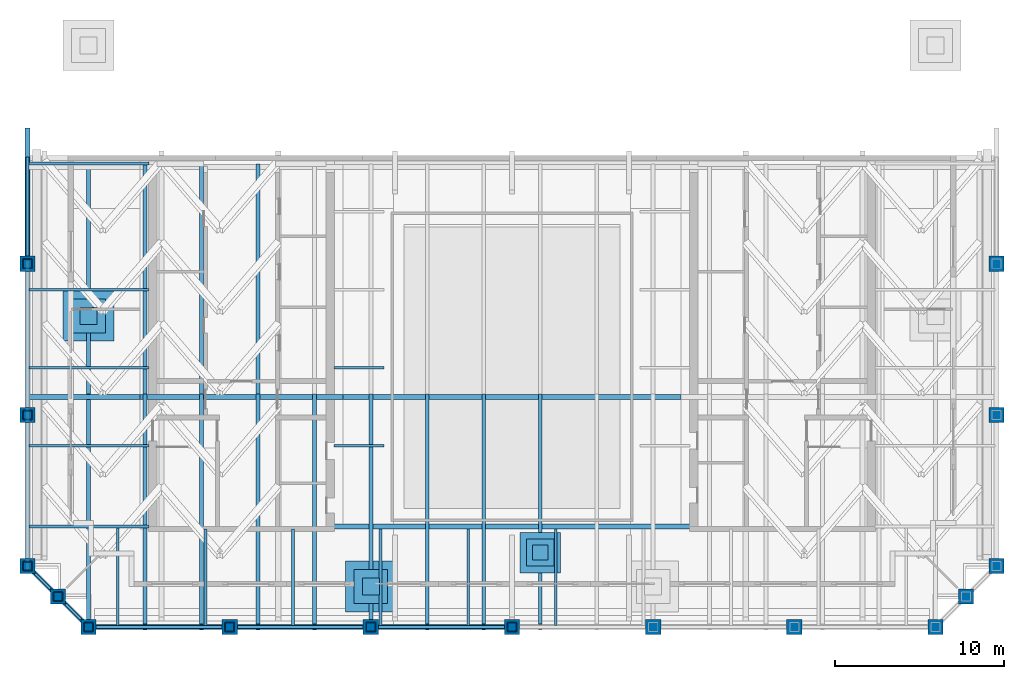
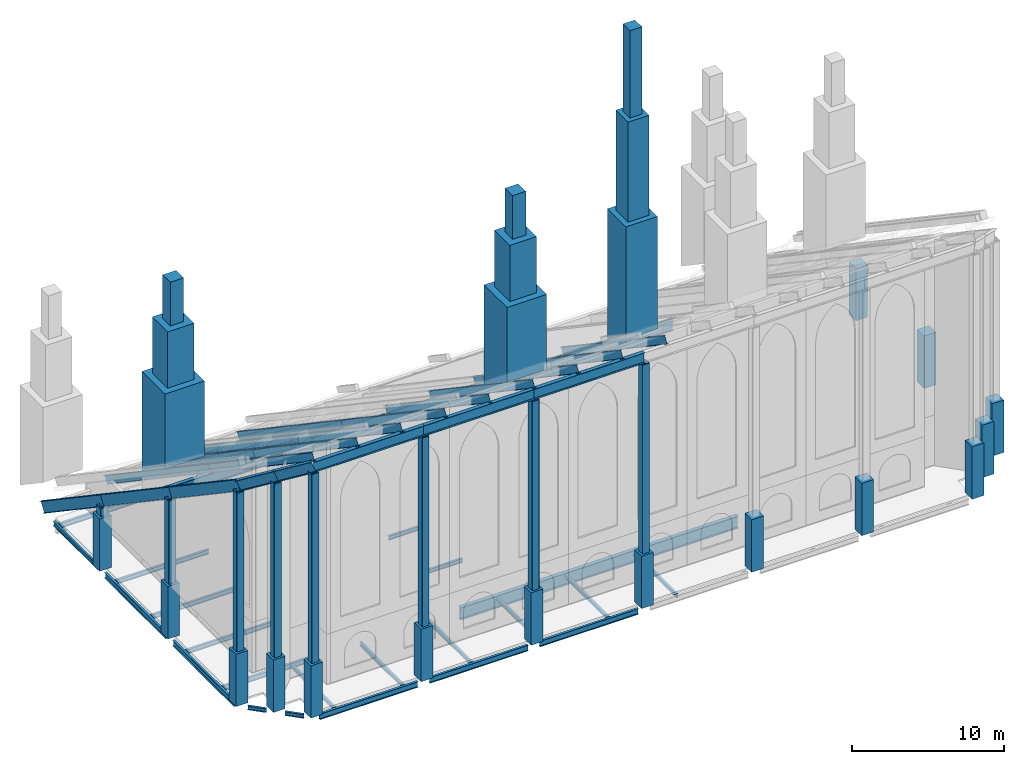
# One storey, part 1 of 9: 33 beams, 30 members, 15 columns.
"""IFC4 building model written with IfcOpenShell, lengths in metres."""

from ifc_helpers import new_model, si_unit, direction, frame, origin, origin_2d, place, context, subcontext, project, spatial, polyline, rectangle, hollow_rectangle, i_section, outline, extrude, material, material_profile, profile_set, type_object, element, save


model = new_model("IFC4")

# Units and contexts
model_context = context("Model", 3, precision=1e-05, world=origin(), true_north=direction((0.0, 1.0)))
body_context = subcontext(model_context, "Body", "Model", "MODEL_VIEW")
ifc_project = project(units=[si_unit("LENGTHUNIT", "METRE"), si_unit("AREAUNIT", "SQUARE_METRE"), si_unit("VOLUMEUNIT", "CUBIC_METRE"), si_unit("PLANEANGLEUNIT", "RADIAN"), si_unit("MASSUNIT", "GRAM", prefix="KILO")], contexts=[model_context])

# Site, building, storey
site_placement = place(None, origin())
site = spatial("IfcSite", under=ifc_project, at=site_placement, CompositionType="ELEMENT")
building_placement = place(site_placement, origin())
building = spatial("IfcBuilding", under=site, at=building_placement, Name="Ogive Exchange Tower", CompositionType="ELEMENT")
storey_placement = place(building_placement, frame((0.0, 0.0, 394.199951171875)))
storey = spatial("IfcBuildingStorey", under=building, at=storey_placement, Name="C07", CompositionType="ELEMENT", Elevation=394.199951171875)

# Columns
ifc_material_1 = material(Name="Precast concrete C70/85 (limestone faced)", Category="masonry")
ifc_material_profile_1 = material_profile(ifc_material_1, rectangle(XDim=0.89990234375, YDim=0.89990234375, at=origin_2d()), Name="900 x 900")
ifc_profile_set_1 = profile_set([ifc_material_profile_1], Name="Precast concrete C70/85 (limestone faced)")
column_type = type_object("IfcColumnType", Name="Precast exoskeleton leg 900 x 900 C70/85", PredefinedType="COLUMN", material=ifc_profile_set_1)
for number, where, z_axis, x_axis, name in (
    (1, (-25.050048828125, -8.39990234375, 0.0), (0.0, 0.0, 1.0), (1.0, 0.0, 0.0), "Crown leg 1"),
    (2, (-16.699951171875, -8.39990234375, 0.0), (0.0, 0.0, 1.0), (1.0, 0.0, 0.0), "Crown leg 2"),
    (3, (-8.35009765625, -8.39990234375, 0.0), (0.0, 0.0, 1.0), (1.0, 0.0, 0.0), "Crown leg 3"),
    (4, (0.0, -8.39990234375, 0.0), (0.0, 0.0, 1.0), (1.0, 0.0, 0.0), "Crown leg 4"),
    (5, (8.35009765625, -8.39990234375, 0.0), (0.0, 0.0, 1.0), (1.0, 0.0, 0.0), "Crown leg 5"),
    (6, (16.699951171875, -8.39990234375, 0.0), (0.0, 0.0, 1.0), (1.0, 0.0, 0.0), "Crown leg 6"),
    (7, (25.050048828125, -8.39990234375, 0.0), (0.0, 0.0, 1.0), (1.0, 0.0, 0.0), "Crown leg 7"),
    (8, (28.64990234375, -4.800048828125, 0.0), (0.0, 0.0, 1.0), (1.0, 0.0, 0.0), "Crown leg 8"),
    (9, (28.64990234375, 4.142822265625, 0.0), (0.0, 0.0, 1.0), (1.0, 0.0, 0.0), "Crown leg 9"),
    (10, (28.64990234375, 13.085693359375, 0.0), (0.0, 0.0, 1.0), (1.0, 0.0, 0.0), "Crown leg 10"),
    (11, (-28.64990234375, 13.085693359375, 0.0), (0.0, 0.0, 1.0), (1.0, 0.0, 0.0), "Crown leg 28"),
    (12, (-28.64990234375, 4.142822265625, 0.0), (0.0, 0.0, 1.0), (1.0, 0.0, 0.0), "Crown leg 29"),
    (13, (-28.64990234375, -4.800048828125, 0.0), (0.0, 0.0, 1.0), (1.0, 0.0, 0.0), "Crown leg 30"),
    (14, (26.85009765625, -6.60009765625, 0.0), (0.0, 0.0, 1.0), (1.0, 0.0, 0.0), "Crown leg 31"),
    (15, (-26.85009765625, -6.60009765625, 0.0), (0.0, 0.0, 1.0), (1.0, 0.0, 0.0), "Crown leg 34"),
):
    element("IfcColumn", number, at=place(storey_placement, frame(where, z_axis=z_axis, x_axis=x_axis)), inside=storey, type_object=column_type, Name=name, PredefinedType="COLUMN", context=body_context, shape_type="SweptSolid", body=[
        extrude(rectangle(XDim=0.89990234375, YDim=0.89990234375, at=origin_2d()), origin(), (0.0, 0.0, 1.0), 4.199951171875),
    ])

# Members
ifc_material_2 = material(Name="Steel ASTM A1085 Gr A", Category="steel")
ifc_material_profile_2 = material_profile(ifc_material_2, hollow_rectangle(XDim=0.55908203125, YDim=0.55908203125, WallThickness=0.022216796875, InnerFilletRadius=0.022216796875, OuterFilletRadius=0.04443359375, at=origin_2d()), Name="HSS558.8x558.8x22.2")
ifc_profile_set_2 = profile_set([ifc_material_profile_2], Name="Steel ASTM A1085 Gr A")
member_type_1 = type_object("IfcMemberType", Name="Crown post HSS558.8x558.8x22.2", PredefinedType="POST", material=ifc_profile_set_2)
for number, where, z_axis, x_axis, name in (
    (16, (-25.050048828125, -8.39990234375, 4.199951171875), (0.0, 0.0, 1.0), (1.0, 0.0, 0.0), "Crown post 1"),
    (17, (-16.699951171875, -8.39990234375, 4.199951171875), (0.0, 0.0, 1.0), (1.0, 0.0, 0.0), "Crown post 2"),
    (18, (-8.35009765625, -8.39990234375, 4.199951171875), (0.0, 0.0, 1.0), (1.0, 0.0, 0.0), "Crown post 3"),
    (19, (0.0, -8.39990234375, 4.199951171875), (0.0, 0.0, 1.0), (1.0, 0.0, 0.0), "Crown post 4"),
):
    element("IfcMember", number, at=place(storey_placement, frame(where, z_axis=z_axis, x_axis=x_axis)), inside=storey, type_object=member_type_1, Name=name, PredefinedType="POST", context=body_context, shape_type="SweptSolid", body=[
        extrude(hollow_rectangle(XDim=0.55908203125, YDim=0.55908203125, WallThickness=0.022216796875, InnerFilletRadius=0.022216796875, OuterFilletRadius=0.04443359375, at=origin_2d()), origin(), (0.0, 0.0, 1.0), 15.13916015625),
    ])
member_1_placement = place(storey_placement, frame((-28.64990234375, 13.085693359375, 4.199951171875), z_axis=(0.0, 0.0, 1.0), x_axis=(1.0, 0.0, 0.0)))
element("IfcMember", 20, at=member_1_placement, inside=storey, type_object=member_type_1, Name="Crown post 28", PredefinedType="POST", context=body_context, shape_type="SweptSolid", body=[
    extrude(hollow_rectangle(XDim=0.55908203125, YDim=0.55908203125, WallThickness=0.022216796875, InnerFilletRadius=0.022216796875, OuterFilletRadius=0.04443359375, at=origin_2d()), origin(), (0.0, 0.0, 1.0), 0.647216796875),
])
member_2_placement = place(storey_placement, frame((-28.64990234375, 4.142822265625, 4.199951171875), z_axis=(0.0, 0.0, 1.0), x_axis=(1.0, 0.0, 0.0)))
element("IfcMember", 21, at=member_2_placement, inside=storey, type_object=member_type_1, Name="Crown post 29", PredefinedType="POST", context=body_context, shape_type="SweptSolid", body=[
    extrude(hollow_rectangle(XDim=0.55908203125, YDim=0.55908203125, WallThickness=0.022216796875, InnerFilletRadius=0.022216796875, OuterFilletRadius=0.04443359375, at=origin_2d()), origin(), (0.0, 0.0, 1.0), 6.67919921875),
])
member_3_placement = place(storey_placement, frame((-28.64990234375, -4.800048828125, 4.199951171875), z_axis=(0.0, 0.0, 1.0), x_axis=(1.0, 0.0, 0.0)))
element("IfcMember", 22, at=member_3_placement, inside=storey, type_object=member_type_1, Name="Crown post 30", PredefinedType="POST", context=body_context, shape_type="SweptSolid", body=[
    extrude(hollow_rectangle(XDim=0.55908203125, YDim=0.55908203125, WallThickness=0.022216796875, InnerFilletRadius=0.022216796875, OuterFilletRadius=0.04443359375, at=origin_2d()), origin(), (0.0, 0.0, 1.0), 12.711181640625),
])
member_4_placement = place(storey_placement, frame((-26.85009765625, -6.60009765625, 4.199951171875), z_axis=(0.0, 0.0, 1.0), x_axis=(1.0, 0.0, 0.0)))
element("IfcMember", 23, at=member_4_placement, inside=storey, type_object=member_type_1, Name="Crown post 34", PredefinedType="POST", context=body_context, shape_type="SweptSolid", body=[
    extrude(hollow_rectangle(XDim=0.55908203125, YDim=0.55908203125, WallThickness=0.022216796875, InnerFilletRadius=0.022216796875, OuterFilletRadius=0.04443359375, at=origin_2d()), origin(), (0.0, 0.0, 1.0), 13.925048828125),
])

# Beams
ifc_material_3 = material(Name="Steel ASTM A992 Gr50", Category="steel")
ifc_material_profile_3 = material_profile(ifc_material_3, i_section(OverallWidth=0.2919921875, OverallDepth=0.8359375, WebThickness=0.013916015625, FlangeThickness=0.018798828125, at=origin_2d()), Name="W840x176")
ifc_profile_set_3 = profile_set([ifc_material_profile_3], Name="Steel ASTM A992 Gr50")
beam_type_1 = type_object("IfcBeamType", Name="Crown purlin W840x176", PredefinedType="BEAM", material=ifc_profile_set_3)
beam_1_placement = place(storey_placement, frame((-28.64990234375, 5.199951171875, 10.583740234375), z_axis=(1.0, 0.0, 0.0), x_axis=(0.0, 1.0, 0.0)))
element("IfcBeam", 24, at=beam_1_placement, inside=storey, type_object=beam_type_1, Name="Crown purlin", PredefinedType="BEAM", context=body_context, shape_type="SweptSolid", body=[
    extrude(i_section(OverallWidth=0.2919921875, OverallDepth=0.8359375, WebThickness=0.013916015625, FlangeThickness=0.018798828125, at=origin_2d()), origin(), (0.0, 0.0, 1.0), 6.64990234375),
])
beam_2_placement = place(storey_placement, frame((-22.0, 5.199951171875, 10.583740234375), z_axis=(1.0, 0.0, 0.0), x_axis=(0.0, 1.0, 0.0)))
element("IfcBeam", 25, at=beam_2_placement, inside=storey, type_object=beam_type_1, Name="Crown purlin", PredefinedType="BEAM", context=body_context, shape_type="SweptSolid", body=[
    extrude(i_section(OverallWidth=0.2919921875, OverallDepth=0.8359375, WebThickness=0.013916015625, FlangeThickness=0.018798828125, at=origin_2d()), origin(), (0.0, 0.0, 1.0), 12.0),
])
beam_3_placement = place(storey_placement, frame((-10.0, 5.199951171875, 10.583740234375), z_axis=(1.0, 0.0, 0.0), x_axis=(0.0, 1.0, 0.0)))
element("IfcBeam", 26, at=beam_3_placement, inside=storey, type_object=beam_type_1, Name="Crown purlin", PredefinedType="BEAM", context=body_context, shape_type="SweptSolid", body=[
    extrude(i_section(OverallWidth=0.2919921875, OverallDepth=0.8359375, WebThickness=0.013916015625, FlangeThickness=0.018798828125, at=origin_2d()), origin(), (0.0, 0.0, 1.0), 20.0),
])

# Members
ifc_material_profile_4 = material_profile(ifc_material_3, i_section(OverallWidth=0.22900390625, OverallDepth=0.612060546875, WebThickness=0.011962890625, FlangeThickness=0.01953125, at=origin_2d()), Name="W610x125")
ifc_profile_set_4 = profile_set([ifc_material_profile_4], Name="Steel ASTM A992 Gr50")
member_type_2 = type_object("IfcMemberType", Name="Crown rafter W610x125", PredefinedType="RAFTER", material=ifc_profile_set_4)
for number, where, z_axis, x_axis, name in (
    (27, (-25.050048828125, -8.39990234375, 20.544189453125), (0.0, 0.829034101641, -0.559198049278), (-1.0, 0.0, 0.0), "Crown rafter"),
    (28, (-25.050048828125, 5.199951171875, 11.370849609375), (0.0, 0.829038755374, -0.559191149866), (-1.0, 0.0, 0.0), "Crown rafter"),
    (29, (-21.7099609375, -8.39990234375, 20.544189453125), (0.0, 0.829034101641, -0.559198049278), (-1.0, 0.0, 0.0), "Crown rafter"),
    (30, (-21.7099609375, 5.199951171875, 11.370849609375), (0.0, 0.829038755374, -0.559191149866), (-1.0, 0.0, 0.0), "Crown rafter"),
    (31, (-18.3701171875, -8.39990234375, 20.544189453125), (0.0, 0.829034101641, -0.559198049278), (-1.0, 0.0, 0.0), "Crown rafter"),
    (32, (-18.3701171875, 5.199951171875, 11.370849609375), (0.0, 0.829038755374, -0.559191149866), (-1.0, 0.0, 0.0), "Crown rafter"),
    (33, (-15.030029296875, -8.39990234375, 20.544189453125), (0.0, 0.829034101641, -0.559198049278), (-1.0, 0.0, 0.0), "Crown rafter"),
    (34, (-15.030029296875, 5.199951171875, 11.370849609375), (0.0, 0.829038755374, -0.559191149866), (-1.0, 0.0, 0.0), "Crown rafter"),
    (35, (-11.68994140625, -8.39990234375, 20.544189453125), (0.0, 0.829034101641, -0.559198049278), (-1.0, 0.0, 0.0), "Crown rafter"),
    (36, (-8.35009765625, -8.39990234375, 20.544189453125), (0.0, 0.829034101641, -0.559198049278), (-1.0, 0.0, 0.0), "Crown rafter"),
    (37, (-5.010009765625, -8.39990234375, 20.544189453125), (0.0, 0.829034101641, -0.559198049278), (-1.0, 0.0, 0.0), "Crown rafter"),
    (38, (-1.669921875, -8.39990234375, 20.544189453125), (0.0, 0.829034101641, -0.559198049278), (-1.0, 0.0, 0.0), "Crown rafter"),
    (39, (1.669921875, -8.39990234375, 20.544189453125), (0.0, 0.829034101641, -0.559198049278), (-1.0, 0.0, 0.0), "Crown rafter"),
):
    element("IfcMember", number, at=place(storey_placement, frame(where, z_axis=z_axis, x_axis=x_axis)), inside=storey, type_object=member_type_2, Name=name, PredefinedType="RAFTER", context=body_context, shape_type="SweptSolid", body=[
        extrude(i_section(OverallWidth=0.22900390625, OverallDepth=0.612060546875, WebThickness=0.011962890625, FlangeThickness=0.01953125, at=origin_2d()), origin(), (0.0, 0.0, 1.0), 16.404541015625),
    ])

# Beams
ifc_material_profile_5 = material_profile(ifc_material_3, i_section(OverallWidth=0.2919921875, OverallDepth=0.8359375, WebThickness=0.013916015625, FlangeThickness=0.018798828125, at=origin_2d()), Name="W840x176")
ifc_profile_set_5 = profile_set([ifc_material_profile_5], Name="Steel ASTM A992 Gr50")
beam_type_2 = type_object("IfcBeamType", Name="Crown raking ring beam W840x176", PredefinedType="BEAM", material=ifc_profile_set_5)
beam_4_placement = place(storey_placement, frame((-28.64990234375, 20.891357421875, 0.0), z_axis=(0.0, -0.829030195272, 0.559203840587), x_axis=(1.0, 0.0, 0.0)))
element("IfcBeam", 40, at=beam_4_placement, inside=storey, type_object=beam_type_2, Name="Crown ring beam 30", PredefinedType="BEAM", context=body_context, shape_type="SweptSolid", body=[
    extrude(i_section(OverallWidth=0.2919921875, OverallDepth=0.8359375, WebThickness=0.013916015625, FlangeThickness=0.018798828125, at=origin_2d()), origin(), (0.0, 0.0, 1.0), 9.41552734375),
])
for number, where, z_axis, x_axis, name in (
    (41, (-28.64990234375, 13.085693359375, 5.26513671875), (0.0, -0.829040163873, 0.559189061665), (1.0, 0.0, 0.0), "Crown ring beam 31"),
    (42, (-28.64990234375, 4.142822265625, 11.297119140625), (0.0, -0.829040163873, 0.559189061665), (1.0, 0.0, 0.0), "Crown ring beam 32"),
):
    element("IfcBeam", number, at=place(storey_placement, frame(where, z_axis=z_axis, x_axis=x_axis)), inside=storey, type_object=beam_type_2, Name=name, PredefinedType="BEAM", context=body_context, shape_type="SweptSolid", body=[
        extrude(i_section(OverallWidth=0.2919921875, OverallDepth=0.8359375, WebThickness=0.013916015625, FlangeThickness=0.018798828125, at=origin_2d()), origin(), (0.0, 0.0, 1.0), 10.787109375),
    ])
beam_5_placement = place(storey_placement, frame((-28.64990234375, -4.800048828125, 17.3291015625), z_axis=(0.638206693944, -0.638293265661, 0.430434574375), x_axis=(0.707154735259, 0.707058823862, 0.0)))
element("IfcBeam", 43, at=beam_5_placement, inside=storey, type_object=beam_type_2, Name="Crown ring beam 33", PredefinedType="BEAM", context=body_context, shape_type="SweptSolid", body=[
    extrude(i_section(OverallWidth=0.2919921875, OverallDepth=0.8359375, WebThickness=0.013916015625, FlangeThickness=0.018798828125, at=origin_2d()), origin(), (0.0, 0.0, 1.0), 2.820068359375),
])
beam_6_placement = place(storey_placement, frame((-26.85009765625, -6.60009765625, 18.54296875), z_axis=(0.638269479583, -0.638182911092, 0.430505102667), x_axis=(0.707058823862, 0.707154735259, 0.0)))
element("IfcBeam", 44, at=beam_6_placement, inside=storey, type_object=beam_type_2, Name="Crown ring beam 34", PredefinedType="BEAM", context=body_context, shape_type="SweptSolid", body=[
    extrude(i_section(OverallWidth=0.2919921875, OverallDepth=0.8359375, WebThickness=0.013916015625, FlangeThickness=0.018798828125, at=origin_2d()), origin(), (0.0, 0.0, 1.0), 2.8203125),
])
ifc_material_profile_6 = material_profile(ifc_material_3, i_section(OverallWidth=0.2919921875, OverallDepth=0.8359375, WebThickness=0.013916015625, FlangeThickness=0.018798828125, at=origin_2d()), Name="W840x176")
ifc_profile_set_6 = profile_set([ifc_material_profile_6], Name="Steel ASTM A992 Gr50")
beam_type_3 = type_object("IfcBeamType", Name="Crown ring beam W840x176", PredefinedType="BEAM", material=ifc_profile_set_6)
beam_7_placement = place(storey_placement, frame((-25.050048828125, -8.39990234375, 19.757080078125), z_axis=(1.0, 0.0, 0.0), x_axis=(0.0, 1.0, 0.0)))
element("IfcBeam", 45, at=beam_7_placement, inside=storey, type_object=beam_type_3, Name="Crown ring beam 1", PredefinedType="BEAM", context=body_context, shape_type="SweptSolid", body=[
    extrude(i_section(OverallWidth=0.2919921875, OverallDepth=0.8359375, WebThickness=0.013916015625, FlangeThickness=0.018798828125, at=origin_2d()), origin(), (0.0, 0.0, 1.0), 8.35009765625),
])
beam_8_placement = place(storey_placement, frame((-16.699951171875, -8.39990234375, 19.757080078125), z_axis=(1.0, 0.0, 0.0), x_axis=(0.0, 1.0, 0.0)))
element("IfcBeam", 46, at=beam_8_placement, inside=storey, type_object=beam_type_3, Name="Crown ring beam 2", PredefinedType="BEAM", context=body_context, shape_type="SweptSolid", body=[
    extrude(i_section(OverallWidth=0.2919921875, OverallDepth=0.8359375, WebThickness=0.013916015625, FlangeThickness=0.018798828125, at=origin_2d()), origin(), (0.0, 0.0, 1.0), 8.349853515625),
])
beam_9_placement = place(storey_placement, frame((-8.35009765625, -8.39990234375, 19.757080078125), z_axis=(1.0, 0.0, 0.0), x_axis=(0.0, 1.0, 0.0)))
element("IfcBeam", 47, at=beam_9_placement, inside=storey, type_object=beam_type_3, Name="Crown ring beam 3", PredefinedType="BEAM", context=body_context, shape_type="SweptSolid", body=[
    extrude(i_section(OverallWidth=0.2919921875, OverallDepth=0.8359375, WebThickness=0.013916015625, FlangeThickness=0.018798828125, at=origin_2d()), origin(), (0.0, 0.0, 1.0), 8.35009765625),
])
ifc_material_profile_7 = material_profile(ifc_material_3, i_section(OverallWidth=0.1650390625, OverallDepth=0.31005859375, WebThickness=0.005859375, FlangeThickness=0.009765625, at=origin_2d()), Name="W310x38.7")
ifc_profile_set_7 = profile_set([ifc_material_profile_7], Name="Steel ASTM A992 Gr50")
beam_type_4 = type_object("IfcBeamType", Name="Floor beam W310x38.7", PredefinedType="JOIST", material=ifc_profile_set_7)
for number, where, z_axis, x_axis, name in (
    (48, (-10.52001953125, 2.3212890625, -0.35498046875), (1.0, 0.0, 0.0), (0.0, 1.0, 0.0), "Floor beam"),
    (49, (-10.52001953125, 6.9326171875, -0.35498046875), (1.0, 0.0, 0.0), (0.0, 1.0, 0.0), "Floor beam"),
):
    element("IfcBeam", number, at=place(storey_placement, frame(where, z_axis=z_axis, x_axis=x_axis)), inside=storey, type_object=beam_type_4, Name=name, PredefinedType="JOIST", context=body_context, shape_type="SweptSolid", body=[
        extrude(i_section(OverallWidth=0.1650390625, OverallDepth=0.31005859375, WebThickness=0.005859375, FlangeThickness=0.009765625, at=origin_2d()), origin(), (0.0, 0.0, 1.0), 2.949951171875),
    ])
beam_10_placement = place(storey_placement, frame((-23.314208984375, -8.304443359375, -0.35498046875), z_axis=(0.0, 1.0, 0.0), x_axis=(-1.0, 0.0, 0.0)))
element("IfcBeam", 50, at=beam_10_placement, inside=storey, type_object=beam_type_4, Name="Floor beam", PredefinedType="JOIST", context=body_context, shape_type="SweptSolid", body=[
    extrude(i_section(OverallWidth=0.1650390625, OverallDepth=0.31005859375, WebThickness=0.005859375, FlangeThickness=0.009765625, at=origin_2d()), origin(), (0.0, 0.0, 1.0), 5.7705078125),
])
for number, where, z_axis, x_axis, name in (
    (51, (-18.13330078125, -8.304443359375, -0.35498046875), (0.0, 1.0, 0.0), (-1.0, 0.0, 0.0), "Floor beam"),
    (52, (-12.952392578125, -8.304443359375, -0.35498046875), (0.0, 1.0, 0.0), (-1.0, 0.0, 0.0), "Floor beam"),
):
    element("IfcBeam", number, at=place(storey_placement, frame(where, z_axis=z_axis, x_axis=x_axis)), inside=storey, type_object=beam_type_4, Name=name, PredefinedType="JOIST", context=body_context, shape_type="SweptSolid", body=[
        extrude(i_section(OverallWidth=0.1650390625, OverallDepth=0.31005859375, WebThickness=0.005859375, FlangeThickness=0.009765625, at=origin_2d()), origin(), (0.0, 0.0, 1.0), 5.704345703125),
    ])
for number, where, z_axis, x_axis, name in (
    (53, (-7.771484375, -8.304443359375, -0.35498046875), (0.0, 1.0, 0.0), (-1.0, 0.0, 0.0), "Floor beam"),
    (54, (-2.590576171875, -8.304443359375, -0.35498046875), (0.0, 1.0, 0.0), (-1.0, 0.0, 0.0), "Floor beam"),
    (55, (2.590576171875, -8.304443359375, -0.35498046875), (0.0, 1.0, 0.0), (-1.0, 0.0, 0.0), "Floor beam"),
):
    element("IfcBeam", number, at=place(storey_placement, frame(where, z_axis=z_axis, x_axis=x_axis)), inside=storey, type_object=beam_type_4, Name=name, PredefinedType="JOIST", context=body_context, shape_type="SweptSolid", body=[
        extrude(i_section(OverallWidth=0.1650390625, OverallDepth=0.31005859375, WebThickness=0.005859375, FlangeThickness=0.009765625, at=origin_2d()), origin(), (0.0, 0.0, 1.0), 5.70947265625),
    ])
ifc_material_profile_8 = material_profile(ifc_material_3, i_section(OverallWidth=0.1708984375, OverallDepth=0.35595703125, WebThickness=0.00732421875, FlangeThickness=0.01171875, at=origin_2d()), Name="W360x51")
ifc_profile_set_8 = profile_set([ifc_material_profile_8], Name="Steel ASTM A992 Gr50")
beam_type_5 = type_object("IfcBeamType", Name="Floor beam W360x51", PredefinedType="JOIST", material=ifc_profile_set_8)
for number, where, z_axis, x_axis, name in (
    (56, (-28.554443359375, 2.3212890625, -0.3779296875), (1.0, 0.0, 0.0), (0.0, 1.0, 0.0), "Floor beam"),
    (57, (-28.554443359375, 6.9326171875, -0.3779296875), (1.0, 0.0, 0.0), (0.0, 1.0, 0.0), "Floor beam"),
    (58, (-28.554443359375, 11.543701171875, -0.3779296875), (1.0, 0.0, 0.0), (0.0, 1.0, 0.0), "Floor beam"),
):
    element("IfcBeam", number, at=place(storey_placement, frame(where, z_axis=z_axis, x_axis=x_axis)), inside=storey, type_object=beam_type_5, Name=name, PredefinedType="JOIST", context=body_context, shape_type="SweptSolid", body=[
        extrude(i_section(OverallWidth=0.1708984375, OverallDepth=0.35595703125, WebThickness=0.00732421875, FlangeThickness=0.01171875, at=origin_2d()), origin(), (0.0, 0.0, 1.0), 7.074462890625),
    ])
ifc_material_profile_9 = material_profile(ifc_material_3, i_section(OverallWidth=0.300048828125, OverallDepth=0.97998046875, WebThickness=0.0166015625, FlangeThickness=0.026123046875, at=origin_2d()), Name="W1000x249")
ifc_profile_set_9 = profile_set([ifc_material_profile_9], Name="Steel ASTM A992 Gr50")
beam_type_6 = type_object("IfcBeamType", Name="Girder W1000x249", PredefinedType="BEAM", material=ifc_profile_set_9)
beam_11_placement = place(storey_placement, frame((-10.52001953125, -2.445068359375, -0.68994140625), z_axis=(1.0, 0.0, 0.0), x_axis=(0.0, 1.0, 0.0)))
element("IfcBeam", 59, at=beam_11_placement, inside=storey, type_object=beam_type_6, Name="Header girder", PredefinedType="BEAM", context=body_context, shape_type="SweptSolid", body=[
    extrude(i_section(OverallWidth=0.300048828125, OverallDepth=0.97998046875, WebThickness=0.0166015625, FlangeThickness=0.026123046875, at=origin_2d()), origin(), (0.0, 0.0, 1.0), 21.0400390625),
])
ifc_material_profile_10 = material_profile(ifc_material_3, i_section(OverallWidth=0.1650390625, OverallDepth=0.31005859375, WebThickness=0.005859375, FlangeThickness=0.009765625, at=origin_2d()), Name="W310x38.7")
ifc_profile_set_10 = profile_set([ifc_material_profile_10], Name="Steel ASTM A992 Gr50")
beam_type_7 = type_object("IfcBeamType", Name="Girder W310x38.7", PredefinedType="BEAM", material=ifc_profile_set_10)
for number, where, z_axis, x_axis, name in (
    (60, (-28.199951171875, -5.25, -0.35498046875), (0.707106781187, -0.707106781187, 0.0), (0.707106781187, 0.707106781187, 0.0), "Girder"),
    (61, (-26.39990234375, -7.050048828125, -0.35498046875), (0.707106781187, -0.707106781187, 0.0), (0.707106781187, 0.707106781187, 0.0), "Girder"),
):
    element("IfcBeam", number, at=place(storey_placement, frame(where, z_axis=z_axis, x_axis=x_axis)), inside=storey, type_object=beam_type_7, Name=name, PredefinedType="BEAM", context=body_context, shape_type="SweptSolid", body=[
        extrude(i_section(OverallWidth=0.1650390625, OverallDepth=0.31005859375, WebThickness=0.005859375, FlangeThickness=0.009765625, at=origin_2d()), origin(), (0.0, 0.0, 1.0), 1.272705078125),
    ])
ifc_material_profile_11 = material_profile(ifc_material_3, i_section(OverallWidth=0.1708984375, OverallDepth=0.35595703125, WebThickness=0.00732421875, FlangeThickness=0.01171875, at=origin_2d()), Name="W360x51")
ifc_profile_set_11 = profile_set([ifc_material_profile_11], Name="Steel ASTM A992 Gr50")
beam_type_8 = type_object("IfcBeamType", Name="Girder W360x51", PredefinedType="BEAM", material=ifc_profile_set_11)
beam_12_placement = place(storey_placement, frame((-28.64990234375, 19.399169921875, -0.3779296875), z_axis=(0.0, -1.0, 0.0), x_axis=(1.0, 0.0, 0.0)))
element("IfcBeam", 62, at=beam_12_placement, inside=storey, type_object=beam_type_8, Name="Girder", PredefinedType="BEAM", context=body_context, shape_type="SweptSolid", body=[
    extrude(i_section(OverallWidth=0.1708984375, OverallDepth=0.35595703125, WebThickness=0.00732421875, FlangeThickness=0.01171875, at=origin_2d()), origin(), (0.0, 0.0, 1.0), 5.863525390625),
])
ifc_material_profile_12 = material_profile(ifc_material_3, i_section(OverallWidth=0.177978515625, OverallDepth=0.406005859375, WebThickness=0.0078125, FlangeThickness=0.0126953125, at=origin_2d()), Name="W410x60")
ifc_profile_set_12 = profile_set([ifc_material_profile_12], Name="Steel ASTM A992 Gr50")
beam_type_9 = type_object("IfcBeamType", Name="Girder W410x60", PredefinedType="BEAM", material=ifc_profile_set_12)
beam_13_placement = place(storey_placement, frame((-28.554443359375, -2.445068359375, -0.40283203125), z_axis=(1.0, 0.0, 0.0), x_axis=(0.0, 1.0, 0.0)))
element("IfcBeam", 63, at=beam_13_placement, inside=storey, type_object=beam_type_9, Name="Header girder", PredefinedType="BEAM", context=body_context, shape_type="SweptSolid", body=[
    extrude(i_section(OverallWidth=0.177978515625, OverallDepth=0.406005859375, WebThickness=0.0078125, FlangeThickness=0.0126953125, at=origin_2d()), origin(), (0.0, 0.0, 1.0), 7.074462890625),
])
beam_14_placement = place(storey_placement, frame((-28.564453125, 18.9990234375, -0.40283203125), z_axis=(1.0, 0.0, 0.0), x_axis=(0.0, 1.0, 0.0)))
element("IfcBeam", 64, at=beam_14_placement, inside=storey, type_object=beam_type_9, Name="Header girder", PredefinedType="BEAM", context=body_context, shape_type="SweptSolid", body=[
    extrude(i_section(OverallWidth=0.177978515625, OverallDepth=0.406005859375, WebThickness=0.0078125, FlangeThickness=0.0126953125, at=origin_2d()), origin(), (0.0, 0.0, 1.0), 7.08447265625),
])
ifc_material_profile_13 = material_profile(ifc_material_3, i_section(OverallWidth=0.19091796875, OverallDepth=0.45703125, WebThickness=0.009033203125, FlangeThickness=0.014404296875, at=origin_2d()), Name="W460x74")
ifc_profile_set_13 = profile_set([ifc_material_profile_13], Name="Steel ASTM A992 Gr50")
beam_type_10 = type_object("IfcBeamType", Name="Girder W460x74", PredefinedType="BEAM", material=ifc_profile_set_13)
beam_15_placement = place(storey_placement, frame((-28.64990234375, 12.6357421875, -0.428466796875), z_axis=(0.0, -1.0, 0.0), x_axis=(1.0, 0.0, 0.0)))
element("IfcBeam", 65, at=beam_15_placement, inside=storey, type_object=beam_type_10, Name="Girder", PredefinedType="BEAM", context=body_context, shape_type="SweptSolid", body=[
    extrude(i_section(OverallWidth=0.19091796875, OverallDepth=0.45703125, WebThickness=0.009033203125, FlangeThickness=0.014404296875, at=origin_2d()), origin(), (0.0, 0.0, 1.0), 8.042724609375),
])
beam_16_placement = place(storey_placement, frame((-28.64990234375, 3.69287109375, -0.428466796875), z_axis=(0.0, -1.0, 0.0), x_axis=(1.0, 0.0, 0.0)))
element("IfcBeam", 66, at=beam_16_placement, inside=storey, type_object=beam_type_10, Name="Girder", PredefinedType="BEAM", context=body_context, shape_type="SweptSolid", body=[
    extrude(i_section(OverallWidth=0.19091796875, OverallDepth=0.45703125, WebThickness=0.009033203125, FlangeThickness=0.014404296875, at=origin_2d()), origin(), (0.0, 0.0, 1.0), 8.04296875),
])
beam_17_placement = place(storey_placement, frame((-24.60009765625, -8.39990234375, -0.428466796875), z_axis=(1.0, 0.0, 0.0), x_axis=(0.0, 1.0, 0.0)))
element("IfcBeam", 67, at=beam_17_placement, inside=storey, type_object=beam_type_10, Name="Girder", PredefinedType="BEAM", context=body_context, shape_type="SweptSolid", body=[
    extrude(i_section(OverallWidth=0.19091796875, OverallDepth=0.45703125, WebThickness=0.009033203125, FlangeThickness=0.014404296875, at=origin_2d()), origin(), (0.0, 0.0, 1.0), 7.4501953125),
])
for number, where, z_axis, x_axis, name in (
    (68, (-16.25, -8.39990234375, -0.428466796875), (1.0, 0.0, 0.0), (0.0, 1.0, 0.0), "Girder"),
    (69, (-7.89990234375, -8.39990234375, -0.428466796875), (1.0, 0.0, 0.0), (0.0, 1.0, 0.0), "Girder"),
):
    element("IfcBeam", number, at=place(storey_placement, frame(where, z_axis=z_axis, x_axis=x_axis)), inside=storey, type_object=beam_type_10, Name=name, PredefinedType="BEAM", context=body_context, shape_type="SweptSolid", body=[
        extrude(i_section(OverallWidth=0.19091796875, OverallDepth=0.45703125, WebThickness=0.009033203125, FlangeThickness=0.014404296875, at=origin_2d()), origin(), (0.0, 0.0, 1.0), 7.449951171875),
    ])

# Members
ifc_material_4 = material(Name="Precast concrete C50/60", Category="concrete")
ifc_material_profile_14 = material_profile(ifc_material_4, rectangle(XDim=3.0, YDim=3.0, at=origin_2d()), Name="PINNACLE 3000 x 3000")
ifc_profile_set_14 = profile_set([ifc_material_profile_14], Name="Precast concrete C50/60")
member_type_3 = type_object("IfcMemberType", Name="Precast pinnacle base stage 3000 x 3000 C50/60", PredefinedType="USERDEFINED", material=ifc_profile_set_14)
member_5_placement = place(storey_placement, frame((-9.85009765625, -7.5, 26.608154296875), z_axis=(-1.0, 0.0, 0.0), x_axis=(0.0, 1.0, 0.0)))
element("IfcMember", 70, at=member_5_placement, inside=storey, type_object=member_type_3, Name="Pinnacle crown 1", ObjectType="PINNACLE", PredefinedType="USERDEFINED", context=body_context, shape_type="SweptSolid", body=[
    extrude(outline(polyline([(0.0, 0.0), (3.0, 0.0), (3.0, 8.02392578125), (0.0, 6.000244140625), (0.0, 0.0)])), origin(), (0.0, 0.0, -1.0), 3.0),
])
member_6_placement = place(storey_placement, frame((-26.550048828125, 8.5, 15.816162109375), z_axis=(-1.0, 0.0, 0.0), x_axis=(0.0, 1.0, 0.0)))
element("IfcMember", 71, at=member_6_placement, inside=storey, type_object=member_type_3, Name="Pinnacle crown 3", ObjectType="PINNACLE", PredefinedType="USERDEFINED", context=body_context, shape_type="SweptSolid", body=[
    extrude(outline(polyline([(0.0, 0.0), (3.0, 0.0), (3.0, 8.02392578125), (0.0, 6.00048828125), (0.0, 0.0)])), origin(), (0.0, 0.0, -1.0), 3.0),
])
ifc_material_profile_15 = material_profile(ifc_material_4, rectangle(XDim=1.0, YDim=1.0, at=origin_2d()), Name="PINNACLE 1000 x 1000")
ifc_profile_set_15 = profile_set([ifc_material_profile_15], Name="Precast concrete C50/60")
member_type_4 = type_object("IfcMemberType", Name="Precast pinnacle finial 1000 x 1000 C50/60", PredefinedType="USERDEFINED", material=ifc_profile_set_15)
for number, where, z_axis, x_axis, name in (
    (72, (-8.35009765625, -6.0, 31.108154296875), (0.0, 0.0, 1.0), (1.0, 0.0, 0.0), "Pinnacle crown 1 finial"),
    (73, (-25.050048828125, 10.0, 20.316162109375), (0.0, 0.0, 1.0), (1.0, 0.0, 0.0), "Pinnacle crown 3 finial"),
):
    element("IfcMember", number, at=place(storey_placement, frame(where, z_axis=z_axis, x_axis=x_axis)), inside=storey, type_object=member_type_4, Name=name, ObjectType="PINNACLE", PredefinedType="USERDEFINED", context=body_context, shape_type="SweptSolid", body=[
        extrude(rectangle(XDim=1.0, YDim=1.0, at=origin_2d()), origin(), (0.0, 0.0, 1.0), 3.5),
    ])
ifc_material_profile_16 = material_profile(ifc_material_4, rectangle(XDim=2.0, YDim=2.0, at=origin_2d()), Name="PINNACLE 2000 x 2000")
ifc_profile_set_16 = profile_set([ifc_material_profile_16], Name="Precast concrete C50/60")
member_type_5 = type_object("IfcMemberType", Name="Precast pinnacle upper stage 2000 x 2000 C50/60", PredefinedType="USERDEFINED", material=ifc_profile_set_16)
for number, where, z_axis, x_axis, name in (
    (74, (-8.35009765625, -6.0, 26.608154296875), (0.0, 0.0, 1.0), (1.0, 0.0, 0.0), "Pinnacle crown 1 upper stage"),
    (75, (-25.050048828125, 10.0, 15.816162109375), (0.0, 0.0, 1.0), (1.0, 0.0, 0.0), "Pinnacle crown 3 upper stage"),
):
    element("IfcMember", number, at=place(storey_placement, frame(where, z_axis=z_axis, x_axis=x_axis)), inside=storey, type_object=member_type_5, Name=name, ObjectType="PINNACLE", PredefinedType="USERDEFINED", context=body_context, shape_type="SweptSolid", body=[
        extrude(rectangle(XDim=2.0, YDim=2.0, at=origin_2d()), origin(), (0.0, 0.0, 1.0), 4.5),
    ])
ifc_material_profile_17 = material_profile(ifc_material_4, rectangle(XDim=2.39990234375, YDim=2.39990234375, at=origin_2d()), Name="SPIRE 1 2400 x 2400")
ifc_profile_set_17 = profile_set([ifc_material_profile_17], Name="Precast concrete C50/60")
member_type_6 = type_object("IfcMemberType", Name="Precast spire stage 1 2400 x 2400 C50/60", PredefinedType="USERDEFINED", material=ifc_profile_set_17)
member_7_placement = place(storey_placement, frame((0.469970703125, -5.199951171875, 28.05615234375), z_axis=(-1.0, 0.0, 0.0), x_axis=(0.0, 1.0, 0.0)))
element("IfcMember", 76, at=member_7_placement, inside=storey, type_object=member_type_6, Name="Spire stage 1", ObjectType="PINNACLE", PredefinedType="USERDEFINED", context=body_context, shape_type="SweptSolid", body=[
    extrude(outline(polyline([(0.0, 0.0), (2.39990234375, 0.0), (2.39990234375, 10.618408203125), (0.0, 8.999755859375), (0.0, 0.0)])), origin(), (0.0, 0.0, -1.0), 2.39990234375),
])
ifc_material_profile_18 = material_profile(ifc_material_4, rectangle(XDim=1.60009765625, YDim=1.60009765625, at=origin_2d()), Name="SPIRE 2 1600 x 1600")
ifc_profile_set_18 = profile_set([ifc_material_profile_18], Name="Precast concrete C50/60")
member_type_7 = type_object("IfcMemberType", Name="Precast spire stage 2 1600 x 1600 C50/60", PredefinedType="USERDEFINED", material=ifc_profile_set_18)
member_8_placement = place(storey_placement, frame((1.669921875, -4.0, 28.05615234375), z_axis=(0.0, 0.0, 1.0), x_axis=(1.0, 0.0, 0.0)))
element("IfcMember", 77, at=member_8_placement, inside=storey, type_object=member_type_7, Name="Spire stage 2", ObjectType="PINNACLE", PredefinedType="USERDEFINED", context=body_context, shape_type="SweptSolid", body=[
    extrude(rectangle(XDim=1.60009765625, YDim=1.60009765625, at=origin_2d()), origin(), (0.0, 0.0, 1.0), 8.0),
])
ifc_material_profile_19 = material_profile(ifc_material_4, rectangle(XDim=0.89990234375, YDim=0.89990234375, at=origin_2d()), Name="SPIRE 3 900 x 900")
ifc_profile_set_19 = profile_set([ifc_material_profile_19], Name="Precast concrete C50/60")
member_type_8 = type_object("IfcMemberType", Name="Precast spire stage 3 900 x 900 C50/60", PredefinedType="USERDEFINED", material=ifc_profile_set_19)
member_9_placement = place(storey_placement, frame((1.669921875, -4.0, 36.05615234375), z_axis=(0.0, 0.0, 1.0), x_axis=(1.0, 0.0, 0.0)))
element("IfcMember", 78, at=member_9_placement, inside=storey, type_object=member_type_8, Name="Spire stage 3", ObjectType="PINNACLE", PredefinedType="USERDEFINED", context=body_context, shape_type="SweptSolid", body=[
    extrude(rectangle(XDim=0.89990234375, YDim=0.89990234375, at=origin_2d()), origin(), (0.0, 0.0, 1.0), 7.0),
])

save(model, "model.ifc")
